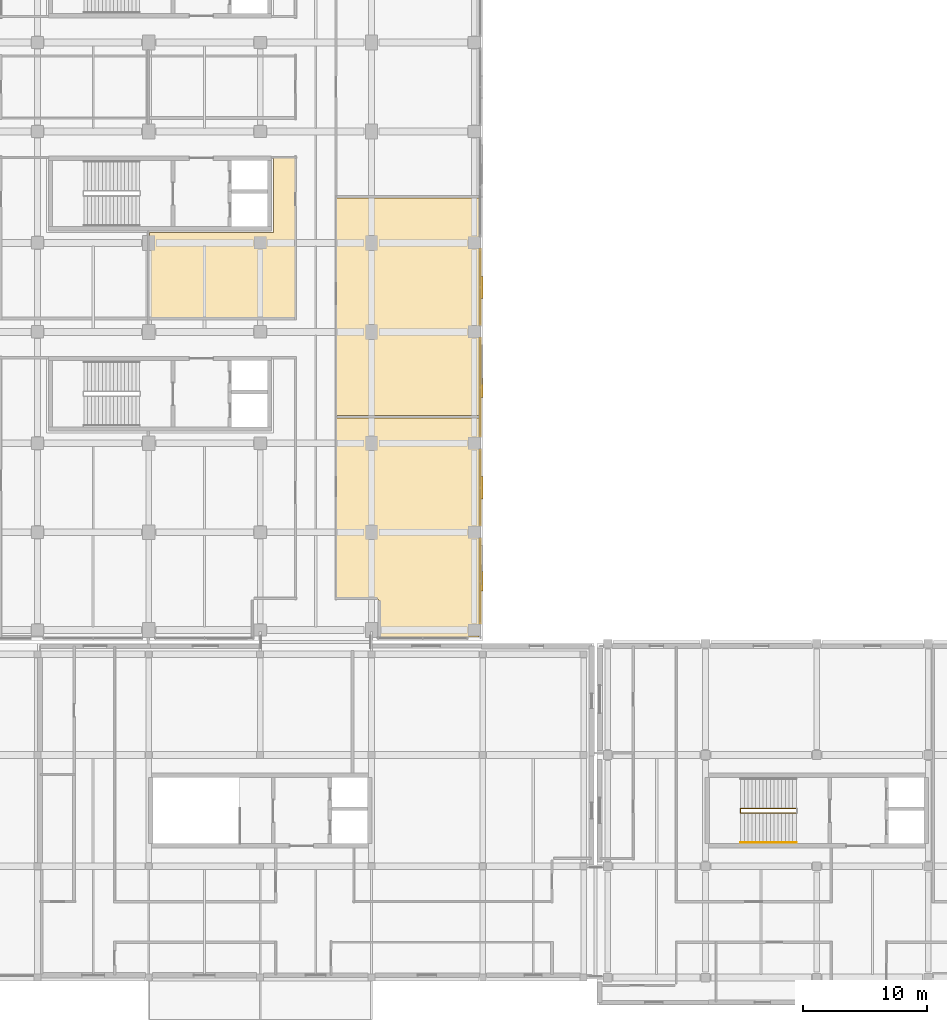
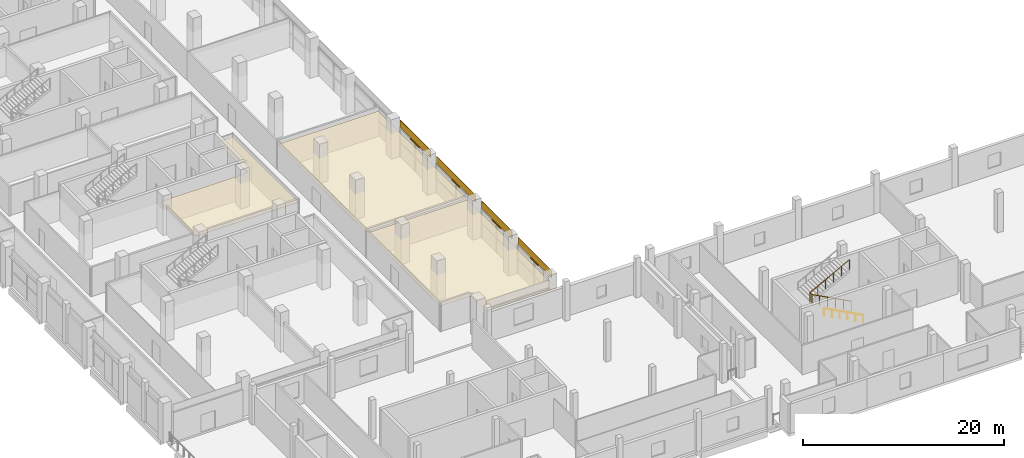
# One storey, part 93 of 111: 7 coverings, 4 shading devices, 2 railings.
"""IFC4 building model written with IfcOpenShell, lengths in metres."""

from ifc_helpers import new_model, si_unit, direction, frame, origin, origin_2d, place, context, subcontext, project, spatial, polyline, rectangle, circle, outline, extrude, material, layer, layer_set, type_object, element, save


model = new_model("IFC4")

# Units and contexts
model_context = context("Model", 3, precision=1e-05, world=origin(), true_north=direction((0.0, 1.0)))
body_context = subcontext(model_context, "Body", "Model", "MODEL_VIEW")
ifc_project = project(units=[si_unit("LENGTHUNIT", "METRE"), si_unit("AREAUNIT", "SQUARE_METRE"), si_unit("VOLUMEUNIT", "CUBIC_METRE"), si_unit("PLANEANGLEUNIT", "RADIAN"), si_unit("MASSUNIT", "GRAM", prefix="KILO"), si_unit("THERMODYNAMICTEMPERATUREUNIT", "KELVIN"), si_unit("POWERUNIT", "WATT")], contexts=[model_context])

# Site, building, storey
site_placement = place(None, origin())
site = spatial("IfcSite", under=ifc_project, at=site_placement, CompositionType="ELEMENT")
building_placement = place(site_placement, origin())
building = spatial("IfcBuilding", under=site, at=building_placement, Name="Sindhuravela Promenade Stadium", CompositionType="ELEMENT")
storey_placement = place(building_placement, frame((0.0, 0.0, 9.60009765625)))
storey = spatial("IfcBuildingStorey", under=building, at=storey_placement, Name="L02", CompositionType="ELEMENT", Elevation=9.60009765625)

# Coverings
ifc_material_1 = material(Name="Acoustic mineral-fibre ceiling tile", Category="gypsum")
ifc_layer_1 = layer(ifc_material_1, 0.02490234375)
ifc_layer_set_1 = layer_set([ifc_layer_1], Name="Acoustic mineral-fibre ceiling tile")
covering_type_1 = type_object("IfcCoveringType", Name="CV-CEIL-1", PredefinedType="CEILING", material=ifc_layer_set_1)
covering_1_placement = place(storey_placement, frame((0.0, 0.0, 3.0498046875)))
element("IfcCovering", 1, at=covering_1_placement, inside=storey, type_object=covering_type_1, Name="Acoustic ceiling Club Finishing Kitchen West", PredefinedType="CEILING", context=body_context, shape_type="SweptSolid", body=[
    extrude(outline(polyline([(44.699951171875, 54.4619140625), (44.699951171875, 54.4599609375), (44.69970703125, 54.4580078125), (44.69921875, 54.456298828125), (44.698486328125, 54.454345703125), (44.697509765625, 54.45263671875), (44.696533203125, 54.450927734375), (44.695556640625, 54.44921875), (44.694091796875, 54.447998046875), (44.692626953125, 54.446533203125), (44.691162109375, 54.4453125), (44.689453125, 54.4443359375), (44.687744140625, 54.443603515625), (44.685791015625, 54.44287109375), (44.683837890625, 54.4423828125), (44.681884765625, 54.442138671875), (44.679931640625, 54.44189453125), (33.139892578125, 54.44189453125), (33.137939453125, 54.442138671875), (33.135986328125, 54.4423828125), (33.13427734375, 54.44287109375), (33.13232421875, 54.443603515625), (33.130615234375, 54.4443359375), (33.12890625, 54.4453125), (33.127197265625, 54.446533203125), (33.1259765625, 54.447998046875), (33.12451171875, 54.44921875), (33.123291015625, 54.450927734375), (33.122314453125, 54.45263671875), (33.12158203125, 54.454345703125), (33.120849609375, 54.456298828125), (33.120361328125, 54.4580078125), (33.1201171875, 54.4599609375), (33.1201171875, 54.4619140625), (33.1201171875, 71.993896484375), (33.1201171875, 71.99609375), (33.120361328125, 71.997802734375), (33.120849609375, 71.999755859375), (33.12158203125, 72.001708984375), (33.122314453125, 72.00341796875), (33.123291015625, 72.005126953125), (33.12451171875, 72.006591796875), (33.1259765625, 72.008056640625), (33.127197265625, 72.009521484375), (33.12890625, 72.010498046875), (33.130615234375, 72.01171875), (33.13232421875, 72.012451171875), (33.13427734375, 72.01318359375), (33.135986328125, 72.013671875), (33.137939453125, 72.013916015625), (33.139892578125, 72.013916015625), (44.679931640625, 72.013916015625), (44.681884765625, 72.013916015625), (44.683837890625, 72.013671875), (44.685791015625, 72.01318359375), (44.687744140625, 72.012451171875), (44.689453125, 72.01171875), (44.691162109375, 72.010498046875), (44.692626953125, 72.009521484375), (44.694091796875, 72.008056640625), (44.695556640625, 72.006591796875), (44.696533203125, 72.005126953125), (44.697509765625, 72.00341796875), (44.698486328125, 72.001708984375), (44.69921875, 71.999755859375), (44.69970703125, 71.997802734375), (44.699951171875, 71.99609375), (44.699951171875, 71.993896484375), (44.699951171875, 54.4619140625)])), origin(), (0.0, 0.0, 1.0), 0.025146484375),
])
covering_2_placement = place(storey_placement, frame((0.0, 0.0, 3.0498046875)))
element("IfcCovering", 2, at=covering_2_placement, inside=storey, type_object=covering_type_1, Name="Acoustic ceiling Club Toilet Suite West L02", PredefinedType="CEILING", context=body_context, shape_type="SweptSolid", body=[
    extrude(outline(polyline([(44.699951171875, 36.570068359375), (44.699951171875, 36.568115234375), (44.69970703125, 36.566162109375), (44.69921875, 36.564208984375), (44.698486328125, 36.562255859375), (44.697509765625, 36.560546875), (44.696533203125, 36.558837890625), (44.695556640625, 36.557373046875), (44.694091796875, 36.555908203125), (44.692626953125, 36.554443359375), (44.691162109375, 36.553466796875), (44.689453125, 36.552490234375), (44.687744140625, 36.551513671875), (44.685791015625, 36.55078125), (44.683837890625, 36.55029296875), (44.681884765625, 36.550048828125), (44.679931640625, 36.550048828125), (36.639892578125, 36.550048828125), (36.637939453125, 36.550048828125), (36.635986328125, 36.55029296875), (36.63427734375, 36.55078125), (36.63232421875, 36.551513671875), (36.630615234375, 36.552490234375), (36.62890625, 36.553466796875), (36.627197265625, 36.554443359375), (36.6259765625, 36.555908203125), (36.62451171875, 36.557373046875), (36.623291015625, 36.558837890625), (36.622314453125, 36.560546875), (36.62158203125, 36.562255859375), (36.620849609375, 36.564208984375), (36.620361328125, 36.566162109375), (36.6201171875, 36.568115234375), (36.6201171875, 36.570068359375), (36.6201171875, 39.41943359375), (36.618896484375, 39.441650390625), (36.61572265625, 39.462890625), (36.610595703125, 39.48388671875), (36.603271484375, 39.504150390625), (36.593994140625, 39.523681640625), (36.5830078125, 39.542236328125), (36.570068359375, 39.5595703125), (36.555419921875, 39.575439453125), (36.53955078125, 39.590087890625), (36.522216796875, 39.602783203125), (36.503662109375, 39.614013671875), (36.484130859375, 39.623291015625), (36.4638671875, 39.630615234375), (36.44287109375, 39.6357421875), (36.421630859375, 39.638916015625), (36.3994140625, 39.639892578125), (33.139892578125, 39.639892578125), (33.137939453125, 39.64013671875), (33.135986328125, 39.640380859375), (33.13427734375, 39.640869140625), (33.13232421875, 39.6416015625), (33.130615234375, 39.642333984375), (33.12890625, 39.643310546875), (33.127197265625, 39.64453125), (33.1259765625, 39.64599609375), (33.12451171875, 39.647216796875), (33.123291015625, 39.64892578125), (33.122314453125, 39.650634765625), (33.12158203125, 39.65234375), (33.120849609375, 39.654296875), (33.120361328125, 39.656005859375), (33.1201171875, 39.657958984375), (33.1201171875, 39.659912109375), (33.1201171875, 54.221923828125), (33.1201171875, 54.22412109375), (33.120361328125, 54.225830078125), (33.120849609375, 54.227783203125), (33.12158203125, 54.229736328125), (33.122314453125, 54.2314453125), (33.123291015625, 54.233154296875), (33.12451171875, 54.234619140625), (33.1259765625, 54.236083984375), (33.127197265625, 54.237548828125), (33.12890625, 54.238525390625), (33.130615234375, 54.239501953125), (33.13232421875, 54.240478515625), (33.13427734375, 54.2412109375), (33.135986328125, 54.24169921875), (33.137939453125, 54.241943359375), (33.139892578125, 54.241943359375), (44.679931640625, 54.241943359375), (44.681884765625, 54.241943359375), (44.683837890625, 54.24169921875), (44.685791015625, 54.2412109375), (44.687744140625, 54.240478515625), (44.689453125, 54.239501953125), (44.691162109375, 54.238525390625), (44.692626953125, 54.237548828125), (44.694091796875, 54.236083984375), (44.695556640625, 54.234619140625), (44.696533203125, 54.233154296875), (44.697509765625, 54.2314453125), (44.698486328125, 54.229736328125), (44.69921875, 54.227783203125), (44.69970703125, 54.225830078125), (44.699951171875, 54.22412109375), (44.699951171875, 54.221923828125), (44.699951171875, 36.570068359375)])), origin(), (0.0, 0.0, 1.0), 0.025146484375),
])
ifc_layer_2 = layer(ifc_material_1, 0.044921875)
ifc_layer_set_2 = layer_set([ifc_layer_2], Name="Acoustic mineral-fibre ceiling tile")
covering_type_2 = type_object("IfcCoveringType", Name="CV-CEIL-2", PredefinedType="CEILING", material=ifc_layer_set_2)
covering_3_placement = place(storey_placement, frame((0.0, 0.0, 3.0498046875)))
element("IfcCovering", 3, at=covering_3_placement, inside=storey, type_object=covering_type_2, Name="Acoustic ceiling VIP Coat and Concierge Room 6", PredefinedType="CEILING", context=body_context, shape_type="SweptSolid", body=[
    extrude(outline(polyline([(28.080078125, 75.31005859375), (28.080078125, 75.31201171875), (28.080322265625, 75.31396484375), (28.080810546875, 75.31591796875), (28.08154296875, 75.317626953125), (28.08251953125, 75.3193359375), (28.08349609375, 75.321044921875), (28.08447265625, 75.32275390625), (28.0859375, 75.32421875), (28.08740234375, 75.325439453125), (28.0888671875, 75.32666015625), (28.090576171875, 75.32763671875), (28.09228515625, 75.32861328125), (28.09423828125, 75.3291015625), (28.09619140625, 75.32958984375), (28.097900390625, 75.329833984375), (28.10009765625, 75.330078125), (29.860107421875, 75.330078125), (29.862060546875, 75.329833984375), (29.864013671875, 75.32958984375), (29.86572265625, 75.3291015625), (29.86767578125, 75.32861328125), (29.869384765625, 75.32763671875), (29.87109375, 75.32666015625), (29.872802734375, 75.325439453125), (29.8740234375, 75.32421875), (29.87548828125, 75.32275390625), (29.876708984375, 75.321044921875), (29.877685546875, 75.3193359375), (29.87841796875, 75.317626953125), (29.879150390625, 75.31591796875), (29.879638671875, 75.31396484375), (29.8798828125, 75.31201171875), (29.8798828125, 75.31005859375), (29.8798828125, 62.2900390625), (29.8798828125, 62.2880859375), (29.879638671875, 62.2861328125), (29.879150390625, 62.2841796875), (29.87841796875, 62.2822265625), (29.877685546875, 62.280517578125), (29.876708984375, 62.27880859375), (29.87548828125, 62.27734375), (29.8740234375, 62.27587890625), (29.872802734375, 62.2744140625), (29.87109375, 62.2734375), (29.869384765625, 62.2724609375), (29.86767578125, 62.271484375), (29.86572265625, 62.27099609375), (29.864013671875, 62.2705078125), (29.862060546875, 62.27001953125), (29.860107421875, 62.27001953125), (18.070068359375, 62.27001953125), (18.068115234375, 62.27001953125), (18.066162109375, 62.2705078125), (18.064208984375, 62.27099609375), (18.062255859375, 62.271484375), (18.060546875, 62.2724609375), (18.058837890625, 62.2734375), (18.057373046875, 62.2744140625), (18.055908203125, 62.27587890625), (18.054443359375, 62.27734375), (18.053466796875, 62.27880859375), (18.052490234375, 62.280517578125), (18.051513671875, 62.2822265625), (18.05078125, 62.2841796875), (18.05029296875, 62.2861328125), (18.050048828125, 62.2880859375), (18.050048828125, 62.2900390625), (18.050048828125, 69.199951171875), (18.050048828125, 69.201904296875), (18.05029296875, 69.203857421875), (18.05078125, 69.205810546875), (18.051513671875, 69.207763671875), (18.052490234375, 69.20947265625), (18.053466796875, 69.211181640625), (18.054443359375, 69.212646484375), (18.055908203125, 69.214111328125), (18.057373046875, 69.215576171875), (18.058837890625, 69.216552734375), (18.060546875, 69.217529296875), (18.062255859375, 69.218505859375), (18.064208984375, 69.218994140625), (18.066162109375, 69.219482421875), (18.068115234375, 69.219970703125), (18.070068359375, 69.219970703125), (28.080078125, 69.219970703125), (28.080078125, 75.31005859375)])), origin(), (0.0, 0.0, 1.0), 0.045166015625),
])
ifc_material_2 = material(Name="Polychrome trencadis ceramic mosaic", Category="masonry")
ifc_layer_3 = layer(ifc_material_2, 0.034912109375)
ifc_layer_set_3 = layer_set([ifc_layer_3], Name="Polychrome trencadis ceramic mosaic")
covering_type_3 = type_object("IfcCoveringType", Name="CV-TRENC-1", PredefinedType="CLADDING", material=ifc_layer_set_3)
covering_4_placement = place(storey_placement, frame((44.820068359375, 56.699951171875, 3.5546875), z_axis=(0.0, 0.0, 1.0), x_axis=(0.0, -1.0, 0.0)))
element("IfcCovering", 4, at=covering_4_placement, inside=storey, type_object=covering_type_3, Name="Trencadis ceramic mosaic spandrel frieze WEST L02-56", PredefinedType="CLADDING", context=body_context, shape_type="SweptSolid", body=[
    extrude(rectangle(XDim=7.8701171875, YDim=0.034912109375, at=origin_2d()), origin(), (0.0, 0.0, 1.0), 0.905029296875),
])
covering_5_placement = place(storey_placement, frame((44.820068359375, 41.050048828125, 3.5546875), z_axis=(0.0, 0.0, 1.0), x_axis=(0.0, -1.0, 0.0)))
element("IfcCovering", 5, at=covering_5_placement, inside=storey, type_object=covering_type_3, Name="Trencadis ceramic mosaic spandrel frieze WEST L02-58", PredefinedType="CLADDING", context=body_context, shape_type="SweptSolid", body=[
    extrude(rectangle(XDim=6.77001953125, YDim=0.034912109375, at=origin_2d()), origin(), (0.0, 0.0, 1.0), 0.905029296875),
])
ifc_layer_4 = layer(ifc_material_2, 0.050048828125)
ifc_layer_set_4 = layer_set([ifc_layer_4], Name="Polychrome trencadis ceramic mosaic")
covering_type_4 = type_object("IfcCoveringType", Name="CV-TRENC-2", PredefinedType="CLADDING", material=ifc_layer_set_4)
for number, where, z_axis, x_axis, name in (
    (6, (44.820068359375, 64.800048828125, 3.5546875), (0.0, 0.0, 1.0), (0.0, -1.0, 0.0), "Trencadis ceramic mosaic spandrel frieze WEST L02-55"),
    (7, (44.820068359375, 48.60009765625, 3.5546875), (0.0, 0.0, 1.0), (0.0, -1.0, 0.0), "Trencadis ceramic mosaic spandrel frieze WEST L02-57"),
):
    element("IfcCovering", number, at=place(storey_placement, frame(where, z_axis=z_axis, x_axis=x_axis)), inside=storey, type_object=covering_type_4, Name=name, PredefinedType="CLADDING", context=body_context, shape_type="SweptSolid", body=[
        extrude(rectangle(XDim=6.070068359375, YDim=0.050048828125, at=origin_2d()), origin(), (0.0, 0.0, 1.0), 0.905029296875),
    ])

# Railings
ifc_material_3 = material(Name="Architectural wrought steel E350", Category="steel")
railing_type_1 = type_object("IfcRailingType", Name="RL-GRD-1150", PredefinedType="GUARDRAIL", material=ifc_material_3)
railing_1_placement = place(storey_placement, frame((70.35009765625, 22.31005859375, 0.0)))
element("IfcRailing", 8, at=railing_1_placement, inside=storey, type_object=railing_type_1, Name="Stair ST11 inner well guard (L02)", PredefinedType="GUARDRAIL", context=body_context, shape_type="SweptSolid", body=[
    extrude(circle(Radius=0.02392578125, at=origin_2d()), frame((0.0, 0.0, 1.1259765625), z_axis=(-0.8836546633431795, 0.0, 0.46813933390802775), x_axis=(0.0, -1.0, 0.0)), (0.0, 0.0, 1.0), 5.12646484375),
    extrude(circle(Radius=0.02392578125, at=origin_2d()), frame((-4.530029296875, 0.0, 3.52587890625), z_axis=(0.0, 1.0, 0.0), x_axis=(-1.0, 0.0, 0.0)), (0.0, 0.0, 1.0), 0.3798828125),
    extrude(circle(Radius=0.02392578125, at=origin_2d()), frame((-4.530029296875, 0.3798828125, 3.52587890625), z_axis=(0.8836546633431795, 0.0, 0.46813933390802775), x_axis=(0.0, 1.0, 0.0)), (0.0, 0.0, 1.0), 5.12646484375),
    extrude(circle(Radius=0.02099609375, at=origin_2d()), origin(), (0.0, 0.0, 1.0), 1.101806640625),
    extrude(circle(Radius=0.02099609375, at=origin_2d()), frame((-0.906005859375, 0.0, 0.47998046875)), (0.0, 0.0, 1.0), 1.101806640625),
    extrude(circle(Radius=0.02099609375, at=origin_2d()), frame((-1.81201171875, 0.0, 0.9599609375)), (0.0, 0.0, 1.0), 1.101806640625),
    extrude(circle(Radius=0.02099609375, at=origin_2d()), frame((-2.718017578125, 0.0, 1.43994140625)), (0.0, 0.0, 1.0), 1.101806640625),
    extrude(circle(Radius=0.02099609375, at=origin_2d()), frame((-3.6240234375, 0.0, 1.919921875)), (0.0, 0.0, 1.0), 1.101806640625),
    extrude(circle(Radius=0.02099609375, at=origin_2d()), frame((-4.530029296875, 0.0, 2.39990234375)), (0.0, 0.0, 1.0), 1.101806640625),
    extrude(circle(Radius=0.02099609375, at=origin_2d()), frame((-4.530029296875, 0.3798828125, 2.39990234375)), (0.0, 0.0, 1.0), 1.101806640625),
    extrude(circle(Radius=0.02099609375, at=origin_2d()), frame((-3.6240234375, 0.3798828125, 2.8798828125)), (0.0, 0.0, 1.0), 1.101806640625),
    extrude(circle(Radius=0.02099609375, at=origin_2d()), frame((-2.718017578125, 0.3798828125, 3.35986328125)), (0.0, 0.0, 1.0), 1.101806640625),
    extrude(circle(Radius=0.02099609375, at=origin_2d()), frame((-1.81201171875, 0.3798828125, 3.83984375)), (0.0, 0.0, 1.0), 1.101806640625),
    extrude(circle(Radius=0.02099609375, at=origin_2d()), frame((-0.906005859375, 0.3798828125, 4.31982421875)), (0.0, 0.0, 1.0), 1.101806640625),
    extrude(circle(Radius=0.02099609375, at=origin_2d()), frame((0.0, 0.3798828125, 4.7998046875)), (0.0, 0.0, 1.0), 1.101806640625),
])
railing_type_2 = type_object("IfcRailingType", Name="RL-HND-920", PredefinedType="HANDRAIL", material=ifc_material_3)
railing_2_placement = place(storey_placement, frame((70.35009765625, 19.919921875, 0.0)))
element("IfcRailing", 9, at=railing_2_placement, inside=storey, type_object=railing_type_2, Name="Stair ST11 lower wall handrail (L02)", PredefinedType="HANDRAIL", context=body_context, shape_type="SweptSolid", body=[
    extrude(circle(Radius=0.02392578125, at=origin_2d()), frame((0.0, 0.0, 0.89599609375), z_axis=(-0.8823608919668723, 0.0, 0.4705733272588083), x_axis=(0.0, -1.0, 0.0)), (0.0, 0.0, 1.0), 5.099853515625),
    extrude(circle(Radius=0.02099609375, at=origin_2d()), origin(), (0.0, 0.0, 1.0), 0.871826171875),
    extrude(circle(Radius=0.02099609375, at=origin_2d()), frame((-0.89990234375, 0.0, 0.47998046875)), (0.0, 0.0, 1.0), 0.871826171875),
    extrude(circle(Radius=0.02099609375, at=origin_2d()), frame((-1.800048828125, 0.0, 0.9599609375)), (0.0, 0.0, 1.0), 0.871826171875),
    extrude(circle(Radius=0.02099609375, at=origin_2d()), frame((-2.699951171875, 0.0, 1.43994140625)), (0.0, 0.0, 1.0), 0.871826171875),
    extrude(circle(Radius=0.02099609375, at=origin_2d()), frame((-3.60009765625, 0.0, 1.919921875)), (0.0, 0.0, 1.0), 0.871826171875),
    extrude(circle(Radius=0.02099609375, at=origin_2d()), frame((-4.5, 0.0, 2.39990234375)), (0.0, 0.0, 1.0), 0.871826171875),
])

# Shading devices
ifc_material_4 = material(Name="Perforated terracotta celosia brick (15 MPa)", Category="masonry")
shading_device_type_1 = type_object("IfcShadingDeviceType", Name="SH-JAL-1", PredefinedType="JALOUSIE", material=ifc_material_4)
for number, where, z_axis, x_axis, name in (
    (10, (44.860107421875, 56.699951171875, 3.4599609375), (0.0, 0.0, 1.0), (0.0, -1.0, 0.0), "Terracotta solar shading louvre WEST L02-22"),
    (11, (44.860107421875, 41.050048828125, 3.4599609375), (0.0, 0.0, 1.0), (0.0, -1.0, 0.0), "Terracotta solar shading louvre WEST L02-24"),
):
    element("IfcShadingDevice", number, at=place(storey_placement, frame(where, z_axis=z_axis, x_axis=x_axis)), inside=storey, type_object=shading_device_type_1, Name=name, PredefinedType="JALOUSIE", context=body_context, shape_type="SweptSolid", body=[
        extrude(rectangle(XDim=1.580078125, YDim=0.280029296875, at=origin_2d()), origin(), (0.0, 0.0, 1.0), 0.1201171875),
    ])
shading_device_type_2 = type_object("IfcShadingDeviceType", Name="SH-JAL-2", PredefinedType="JALOUSIE", material=ifc_material_4)
for number, where, z_axis, x_axis, name in (
    (12, (44.860107421875, 64.800048828125, 3.4501953125), (0.0, 0.0, 1.0), (0.0, -1.0, 0.0), "Terracotta solar shading louvre WEST L02-21"),
    (13, (44.860107421875, 48.60009765625, 3.4501953125), (0.0, 0.0, 1.0), (0.0, -1.0, 0.0), "Terracotta solar shading louvre WEST L02-23"),
):
    element("IfcShadingDevice", number, at=place(storey_placement, frame(where, z_axis=z_axis, x_axis=x_axis)), inside=storey, type_object=shading_device_type_2, Name=name, PredefinedType="JALOUSIE", context=body_context, shape_type="SweptSolid", body=[
        extrude(rectangle(XDim=1.800048828125, YDim=0.320068359375, at=origin_2d()), origin(), (0.0, 0.0, 1.0), 0.139892578125),
    ])

save(model, "model.ifc")
